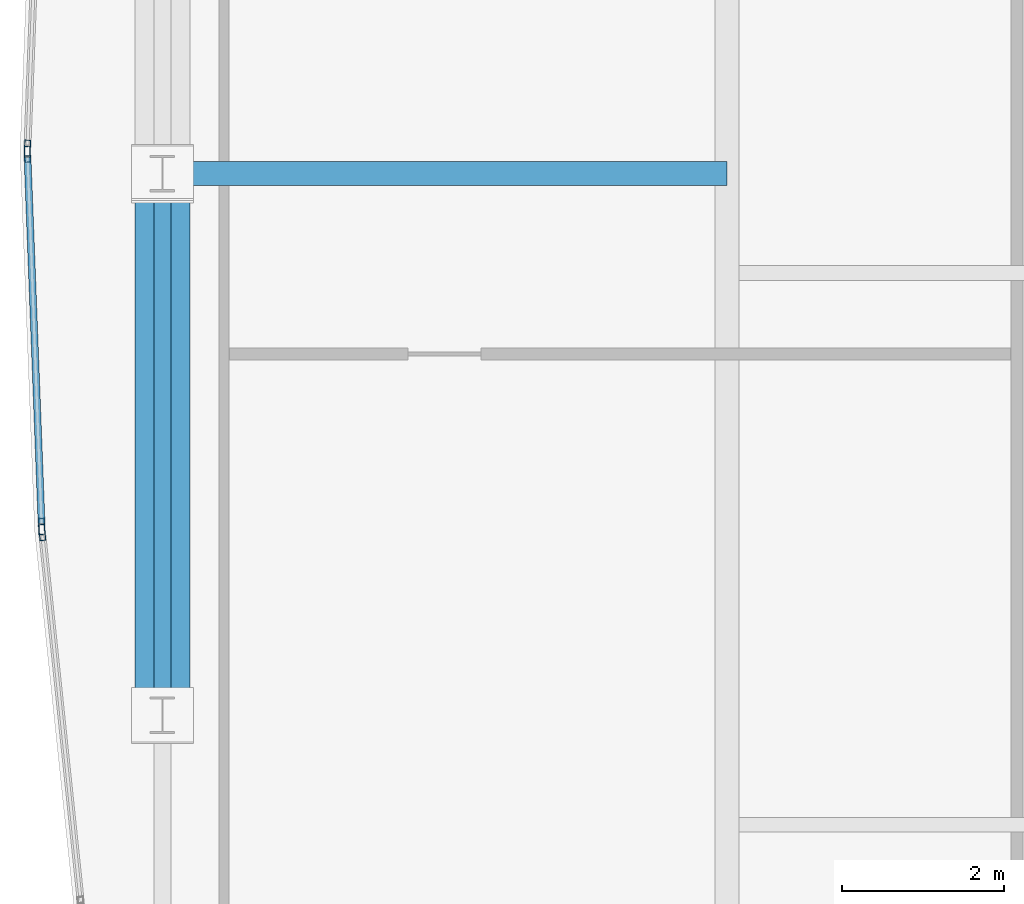
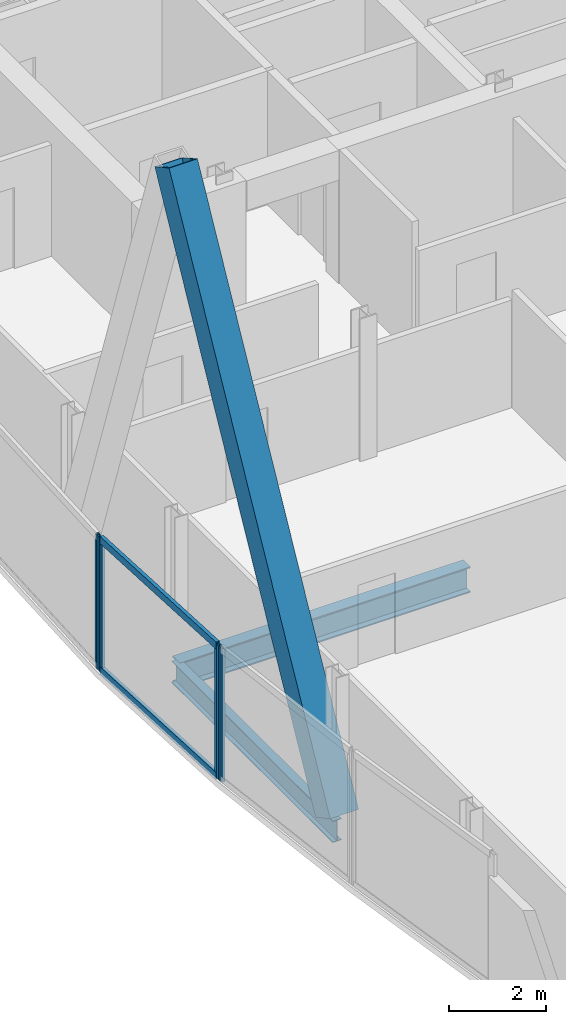
# One storey, part 9 of 29: 7 members, 2 beams, 3 elements without a shape of their own.
"""IFC4 building model written with IfcOpenShell, lengths in metres."""

from ifc_helpers import new_model, si_unit, direction, frame, origin, origin_2d, place, context, subcontext, project, spatial, hollow_rectangle, i_section, extrude, material, material_profile, profile_set, type_object, element, aggregate, save


model = new_model("IFC4")

# Units and contexts
model_context = context("Model", 3, precision=1e-05, world=origin(), true_north=direction((0.0, 1.0)))
body_context = subcontext(model_context, "Body", "Model", "MODEL_VIEW")
ifc_project = project(units=[si_unit("LENGTHUNIT", "METRE"), si_unit("AREAUNIT", "SQUARE_METRE"), si_unit("VOLUMEUNIT", "CUBIC_METRE"), si_unit("PLANEANGLEUNIT", "RADIAN"), si_unit("MASSUNIT", "GRAM", prefix="KILO")], contexts=[model_context])

# Site, building, storey
site_placement = place(None, origin())
site = spatial("IfcSite", under=ifc_project, at=site_placement, CompositionType="ELEMENT")
building_placement = place(site_placement, origin())
building = spatial("IfcBuilding", under=site, at=building_placement, Name="Khoronbel Lancet Exchange", CompositionType="ELEMENT")
storey_placement = place(building_placement, frame((0.0, 0.0, 302.199951171875)))
storey = spatial("IfcBuildingStorey", under=building, at=storey_placement, Name="L78", CompositionType="ELEMENT", Elevation=302.199951171875)

# Beams
ifc_material_1 = material(Name="Steel S355", Category="steel")
ifc_material_profile_1 = material_profile(ifc_material_1, i_section(OverallWidth=0.300048828125, OverallDepth=0.64990234375, WebThickness=0.01611328125, FlangeThickness=0.031005859375, at=origin_2d()), Name="HEB 650")
ifc_profile_set_1 = profile_set([ifc_material_profile_1], Name="Steel S355")
beam_type_1 = type_object("IfcBeamType", Name="BM-BG4", PredefinedType="BEAM", material=ifc_profile_set_1)
beam_1_placement = place(storey_placement, frame((11.27001953125, 31.425048828125, -0.48486328125), z_axis=(1.0, 0.0, 0.0), x_axis=(0.0, 1.0, 0.0)))
element("IfcBeam", 1, at=beam_1_placement, inside=storey, type_object=beam_type_1, Name="Level L78 west lens tie girder LG2W", PredefinedType="BEAM", context=body_context, shape_type="SweptSolid", body=[
    extrude(i_section(OverallWidth=0.300048828125, OverallDepth=0.64990234375, WebThickness=0.01611328125, FlangeThickness=0.031005859375, at=origin_2d()), origin(), (0.0, 0.0, 1.0), 6.955078125),
])
ifc_material_profile_2 = material_profile(ifc_material_1, i_section(OverallWidth=0.2099609375, OverallDepth=0.550048828125, WebThickness=0.010986328125, FlangeThickness=0.01708984375, at=origin_2d()), Name="IPE 550")
ifc_profile_set_2 = profile_set([ifc_material_profile_2], Name="Steel S355")
beam_type_2 = type_object("IfcBeamType", Name="BM-BSP3", PredefinedType="SPANDREL", material=ifc_profile_set_2)
beam_2_placement = place(storey_placement, frame((11.27001953125, 31.425048828125, -0.43505859375), z_axis=(0.0, -1.0, 0.0), x_axis=(1.0, 0.0, 0.0)))
element("IfcBeam", 2, at=beam_2_placement, inside=storey, type_object=beam_type_2, Name="Level L78 perimeter spandrel beam SP19", PredefinedType="SPANDREL", context=body_context, shape_type="SweptSolid", body=[
    extrude(i_section(OverallWidth=0.2099609375, OverallDepth=0.550048828125, WebThickness=0.010986328125, FlangeThickness=0.01708984375, at=origin_2d()), origin(), (0.0, 0.0, 1.0), 6.675048828125),
])

# Curtain wall, member
ifc_material_2 = material(Name="Low-E Solar Control Insulating Glass", Category="glass")
curtain_wall_type = type_object("IfcCurtainWallType", Name="CW-4", PredefinedType="NOTDEFINED", material=ifc_material_2)
curtain_wall_1_placement = place(storey_placement, origin())
curtain_wall_1 = element("IfcCurtainWall", 3, at=curtain_wall_1_placement, inside=storey, type_object=curtain_wall_type, Name="Unitised curtain wall CW-L78-E05", PredefinedType="NOTDEFINED")
ifc_material_3 = material(Name="Bronze-Anodised Aluminium 6063-T6", Category="aluminium")
ifc_material_profile_3 = material_profile(ifc_material_3, hollow_rectangle(XDim=0.074951171875, YDim=0.199951171875, WallThickness=0.0048828125, at=origin_2d()), Name="ALU MULLION 75x200")
ifc_profile_set_3 = profile_set([ifc_material_profile_3], Name="Bronze-Anodised Aluminium 6063-T6")
member_type_1 = type_object("IfcMemberType", Name="MEM-CWM2", PredefinedType="MULLION", material=ifc_profile_set_3)
member_1_placement = place(storey_placement, frame((9.787841796875, 27.00244140625, 0.0), z_axis=(0.0, 0.0, 1.0), x_axis=(-0.994563630588, -0.104130613712, 0.0)))
member_1 = element("IfcMember", 4, at=member_1_placement, type_object=member_type_1, Name="CW4 mullion 2", PredefinedType="MULLION", context=body_context, shape_type="SweptSolid", body=[
    extrude(hollow_rectangle(XDim=0.074951171875, YDim=0.199951171875, WallThickness=0.0048828125, at=origin_2d()), origin(), (0.0, 0.0, 1.0), 3.380126953125),
])
aggregate(curtain_wall_1, [member_1])

# Curtain wall, members
curtain_wall_2_placement = place(storey_placement, origin())
curtain_wall_2 = element("IfcCurtainWall", 5, at=curtain_wall_2_placement, inside=storey, type_object=curtain_wall_type, Name="Unitised curtain wall CW-L78-E06", PredefinedType="NOTDEFINED")
member_2_placement = place(storey_placement, frame((9.782470703125, 27.0771484375, 0.0), z_axis=(0.0, 0.0, 1.0), x_axis=(-0.99926727474, -0.038274190189, 0.0)))
member_2 = element("IfcMember", 6, at=member_2_placement, type_object=member_type_1, Name="CW4 mullion 1", PredefinedType="MULLION", context=body_context, shape_type="SweptSolid", body=[
    extrude(hollow_rectangle(XDim=0.074951171875, YDim=0.199951171875, WallThickness=0.0048828125, at=origin_2d()), origin(), (0.0, 0.0, 1.0), 3.380126953125),
])
member_3_placement = place(storey_placement, frame((9.60693359375, 31.66259765625, 0.0), z_axis=(0.0, 0.0, 1.0), x_axis=(-0.99926727474, -0.038274190189, 0.0)))
member_3 = element("IfcMember", 7, at=member_3_placement, type_object=member_type_1, Name="CW4 mullion 2", PredefinedType="MULLION", context=body_context, shape_type="SweptSolid", body=[
    extrude(hollow_rectangle(XDim=0.074951171875, YDim=0.199951171875, WallThickness=0.0048828125, at=origin_2d()), origin(), (0.0, 0.0, 1.0), 3.380126953125),
])

# Curtain wall, member
curtain_wall_3_placement = place(storey_placement, origin())
curtain_wall_3 = element("IfcCurtainWall", 8, at=curtain_wall_3_placement, inside=storey, type_object=curtain_wall_type, Name="Unitised curtain wall CW-L78-E07", PredefinedType="NOTDEFINED")
member_4_placement = place(storey_placement, frame((9.60693359375, 31.737548828125, 0.0), z_axis=(0.0, 0.0, 1.0), x_axis=(-0.99926727474, 0.038274190189, 0.0)))
member_4 = element("IfcMember", 9, at=member_4_placement, type_object=member_type_1, Name="CW4 mullion 1", PredefinedType="MULLION", context=body_context, shape_type="SweptSolid", body=[
    extrude(hollow_rectangle(XDim=0.074951171875, YDim=0.199951171875, WallThickness=0.0048828125, at=origin_2d()), origin(), (0.0, 0.0, 1.0), 3.380126953125),
])
aggregate(curtain_wall_3, [member_4])

# Member
ifc_material_profile_4 = material_profile(ifc_material_3, hollow_rectangle(XDim=0.0849609375, YDim=0.179931640625, WallThickness=0.0048828125, at=origin_2d()), Name="ALU TRANSOM 85x180")
ifc_profile_set_4 = profile_set([ifc_material_profile_4], Name="Bronze-Anodised Aluminium 6063-T6")
member_type_2 = type_object("IfcMemberType", Name="MEM-CWT1", PredefinedType="USERDEFINED", material=ifc_profile_set_4)
member_5_placement = place(storey_placement, frame((9.781005859375, 27.11474609375, 0.04248046875), z_axis=(-0.038296018102, 0.999266438442, 0.0), x_axis=(-0.999266438442, -0.038296018102, 0.0)))
member_5 = element("IfcMember", 10, at=member_5_placement, type_object=member_type_2, Name="CW4 transom 1.1", ObjectType="TRANSOM", PredefinedType="USERDEFINED", context=body_context, shape_type="SweptSolid", body=[
    extrude(hollow_rectangle(XDim=0.0849609375, YDim=0.179931640625, WallThickness=0.0048828125, at=origin_2d()), origin(), (0.0, 0.0, 1.0), 4.513671875),
])

member_6_placement = place(storey_placement, frame((9.781005859375, 27.11474609375, 3.337646484375), z_axis=(-0.038296018102, 0.999266438442, 0.0), x_axis=(-0.999266438442, -0.038296018102, 0.0)))
member_6 = element("IfcMember", 11, at=member_6_placement, type_object=member_type_2, Name="CW4 transom 1.2", ObjectType="TRANSOM", PredefinedType="USERDEFINED", context=body_context, shape_type="SweptSolid", body=[
    extrude(hollow_rectangle(XDim=0.0849609375, YDim=0.179931640625, WallThickness=0.0048828125, at=origin_2d()), origin(), (0.0, 0.0, 1.0), 4.513671875),
])

aggregate(curtain_wall_2, [member_2, member_3, member_5, member_6])

ifc_material_4 = material(Name="Steel S460", Category="steel")
ifc_material_profile_5 = material_profile(ifc_material_4, hollow_rectangle(XDim=0.679931640625, YDim=0.679931640625, WallThickness=0.044921875, at=origin_2d()), Name="BOX 680x680x45")
ifc_profile_set_5 = profile_set([ifc_material_profile_5], Name="Steel S460")
member_type_3 = type_object("IfcMemberType", Name="MEM-MB3", PredefinedType="BRACE", material=ifc_profile_set_5)
member_7_placement = place(storey_placement, frame((11.27001953125, 24.75, 0.0), z_axis=(0.0, 0.473992302512, 0.880528987121), x_axis=(-1.0, 0.0, 0.0)))
element("IfcMember", 12, at=member_7_placement, inside=storey, type_object=member_type_3, Name="Perimeter lancet brace tier 27 W-P-L", PredefinedType="BRACE", context=body_context, shape_type="SweptSolid", body=[
    extrude(hollow_rectangle(XDim=0.679931640625, YDim=0.679931640625, WallThickness=0.044921875, at=origin_2d()), origin(), (0.0, 0.0, 1.0), 14.08251953125),
])

save(model, "model.ifc")
